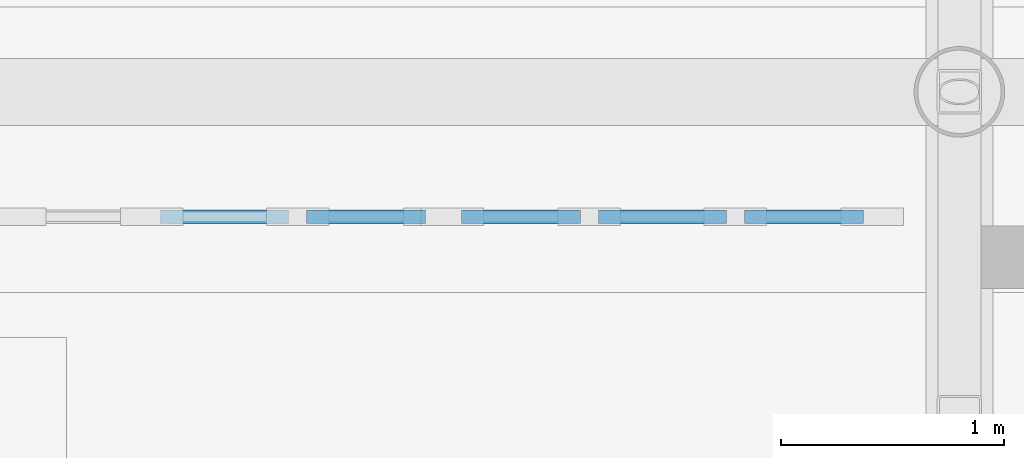
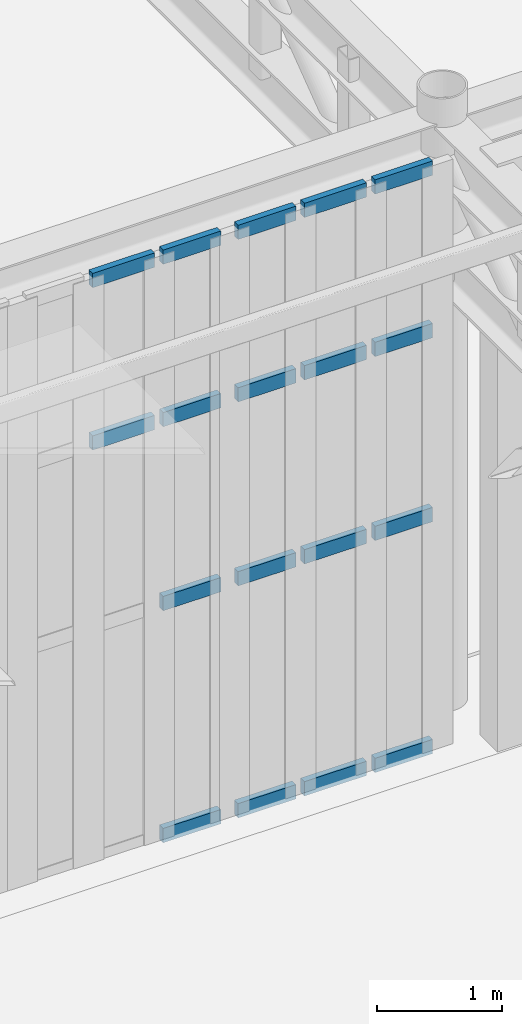
# One storey, part 55 of 118: 18 members, 2 elements without a shape of their own.
"""IFC4 building model written with IfcOpenShell, lengths in metres."""

from ifc_helpers import new_model, si_unit, direction, frame, origin, origin_2d, place, context, subcontext, project, spatial, rectangle, extrude, material, material_profile, profile_set, type_object, element, aggregate, save


model = new_model("IFC4")

# Units and contexts
model_context = context("Model", 3, precision=1e-05, world=origin(), true_north=direction((0.0, 1.0)))
body_context = subcontext(model_context, "Body", "Model", "MODEL_VIEW")
ifc_project = project(units=[si_unit("LENGTHUNIT", "METRE"), si_unit("AREAUNIT", "SQUARE_METRE"), si_unit("VOLUMEUNIT", "CUBIC_METRE"), si_unit("PLANEANGLEUNIT", "RADIAN"), si_unit("MASSUNIT", "GRAM", prefix="KILO")], contexts=[model_context])

# Site, building, storey
site_placement = place(None, origin())
site = spatial("IfcSite", under=ifc_project, at=site_placement, CompositionType="ELEMENT")
building_placement = place(site_placement, origin())
building = spatial("IfcBuilding", under=site, at=building_placement, Name="Kolvaren Corner Interchange", CompositionType="ELEMENT")
storey_placement = place(building_placement, origin())
storey = spatial("IfcBuildingStorey", under=building, at=storey_placement, Name="L01", CompositionType="ELEMENT", Elevation=0.0)

# Curtain wall, members
ifc_material_1 = material(Name="Unitised Aluminium and Solar-Control Glass Curtain Wall", Category="aluminium")
curtain_wall_type = type_object("IfcCurtainWallType", Name="CW-V1-PORTAL", PredefinedType="NOTDEFINED", material=ifc_material_1)
curtain_wall_1_placement = place(storey_placement, origin())
curtain_wall_1 = element("IfcCurtainWall", 1, at=curtain_wall_1_placement, inside=storey, type_object=curtain_wall_type, Name="South Portal Ground Curtain Wall Bay 17", PredefinedType="NOTDEFINED")
ifc_material_2 = material(Name="Anodised Aluminium Framing", Category="aluminium")
ifc_material_profile = material_profile(ifc_material_2, rectangle(XDim=0.06005859375, YDim=0.139892578125, at=origin_2d()), Name="ALU 60x140")
ifc_profile_set = profile_set([ifc_material_profile], Name="Anodised Aluminium Framing")
member_type = type_object("IfcMemberType", Name="TRN-ALU60x140", PredefinedType="USERDEFINED", material=ifc_profile_set)
member_1_placement = place(storey_placement, frame((104.42138671875, 24.340087890625, 4.10009765625), z_axis=(1.0, 0.0, 0.0), x_axis=(0.0, 1.0, 0.0)))
member_1 = element("IfcMember", 2, at=member_1_placement, type_object=member_type, Name="CW-017 transom 2.3", ObjectType="TRANSOM", PredefinedType="USERDEFINED", context=body_context, shape_type="SweptSolid", body=[
    extrude(rectangle(XDim=0.06005859375, YDim=0.139892578125, at=origin_2d()), origin(), (0.0, 0.0, 1.0), 0.57373046875),
])
member_2_placement = place(storey_placement, frame((104.42138671875, 24.340087890625, 5.68994140625), z_axis=(1.0, 0.0, 0.0), x_axis=(0.0, 1.0, 0.0)))
member_2 = element("IfcMember", 3, at=member_2_placement, type_object=member_type, Name="CW-017 transom 2.4", ObjectType="TRANSOM", PredefinedType="USERDEFINED", context=body_context, shape_type="SweptSolid", body=[
    extrude(rectangle(XDim=0.06005859375, YDim=0.139892578125, at=origin_2d()), origin(), (0.0, 0.0, 1.0), 0.57373046875),
])
member_3_placement = place(storey_placement, frame((105.0751953125, 24.340087890625, 0.030029296875), z_axis=(1.0, 0.0, 0.0), x_axis=(0.0, 1.0, 0.0)))
member_3 = element("IfcMember", 4, at=member_3_placement, type_object=member_type, Name="CW-017 transom 3.1", ObjectType="TRANSOM", PredefinedType="USERDEFINED", context=body_context, shape_type="SweptSolid", body=[
    extrude(rectangle(XDim=0.06005859375, YDim=0.139892578125, at=origin_2d()), origin(), (0.0, 0.0, 1.0), 0.53369140625),
])
member_4_placement = place(storey_placement, frame((105.0751953125, 24.340087890625, 2.300048828125), z_axis=(1.0, 0.0, 0.0), x_axis=(0.0, 1.0, 0.0)))
member_4 = element("IfcMember", 5, at=member_4_placement, type_object=member_type, Name="CW-017 transom 3.2", ObjectType="TRANSOM", PredefinedType="USERDEFINED", context=body_context, shape_type="SweptSolid", body=[
    extrude(rectangle(XDim=0.06005859375, YDim=0.139892578125, at=origin_2d()), origin(), (0.0, 0.0, 1.0), 0.53369140625),
])
member_5_placement = place(storey_placement, frame((105.0751953125, 24.340087890625, 4.10009765625), z_axis=(1.0, 0.0, 0.0), x_axis=(0.0, 1.0, 0.0)))
member_5 = element("IfcMember", 6, at=member_5_placement, type_object=member_type, Name="CW-017 transom 3.3", ObjectType="TRANSOM", PredefinedType="USERDEFINED", context=body_context, shape_type="SweptSolid", body=[
    extrude(rectangle(XDim=0.06005859375, YDim=0.139892578125, at=origin_2d()), origin(), (0.0, 0.0, 1.0), 0.53369140625),
])
member_6_placement = place(storey_placement, frame((105.0751953125, 24.340087890625, 5.68994140625), z_axis=(1.0, 0.0, 0.0), x_axis=(0.0, 1.0, 0.0)))
member_6 = element("IfcMember", 7, at=member_6_placement, type_object=member_type, Name="CW-017 transom 3.4", ObjectType="TRANSOM", PredefinedType="USERDEFINED", context=body_context, shape_type="SweptSolid", body=[
    extrude(rectangle(XDim=0.06005859375, YDim=0.139892578125, at=origin_2d()), origin(), (0.0, 0.0, 1.0), 0.53369140625),
])
aggregate(curtain_wall_1, [member_1, member_2, member_3, member_4, member_5, member_6])

curtain_wall_2_placement = place(storey_placement, origin())
curtain_wall_2 = element("IfcCurtainWall", 8, at=curtain_wall_2_placement, inside=storey, type_object=curtain_wall_type, Name="South Portal Ground Curtain Wall Bay 18", PredefinedType="NOTDEFINED")
member_7_placement = place(storey_placement, frame((105.768798828125, 24.340087890625, 0.030029296875), z_axis=(1.0, 0.0, 0.0), x_axis=(0.0, 1.0, 0.0)))
member_7 = element("IfcMember", 9, at=member_7_placement, type_object=member_type, Name="CW-018 transom 1.1", ObjectType="TRANSOM", PredefinedType="USERDEFINED", context=body_context, shape_type="SweptSolid", body=[
    extrude(rectangle(XDim=0.06005859375, YDim=0.139892578125, at=origin_2d()), origin(), (0.0, 0.0, 1.0), 0.53369140625),
])
member_8_placement = place(storey_placement, frame((105.768798828125, 24.340087890625, 2.300048828125), z_axis=(1.0, 0.0, 0.0), x_axis=(0.0, 1.0, 0.0)))
member_8 = element("IfcMember", 10, at=member_8_placement, type_object=member_type, Name="CW-018 transom 1.2", ObjectType="TRANSOM", PredefinedType="USERDEFINED", context=body_context, shape_type="SweptSolid", body=[
    extrude(rectangle(XDim=0.06005859375, YDim=0.139892578125, at=origin_2d()), origin(), (0.0, 0.0, 1.0), 0.53369140625),
])
member_9_placement = place(storey_placement, frame((105.768798828125, 24.340087890625, 4.10009765625), z_axis=(1.0, 0.0, 0.0), x_axis=(0.0, 1.0, 0.0)))
member_9 = element("IfcMember", 11, at=member_9_placement, type_object=member_type, Name="CW-018 transom 1.3", ObjectType="TRANSOM", PredefinedType="USERDEFINED", context=body_context, shape_type="SweptSolid", body=[
    extrude(rectangle(XDim=0.06005859375, YDim=0.139892578125, at=origin_2d()), origin(), (0.0, 0.0, 1.0), 0.53369140625),
])
member_10_placement = place(storey_placement, frame((105.768798828125, 24.340087890625, 5.68994140625), z_axis=(1.0, 0.0, 0.0), x_axis=(0.0, 1.0, 0.0)))
member_10 = element("IfcMember", 12, at=member_10_placement, type_object=member_type, Name="CW-018 transom 1.4", ObjectType="TRANSOM", PredefinedType="USERDEFINED", context=body_context, shape_type="SweptSolid", body=[
    extrude(rectangle(XDim=0.06005859375, YDim=0.139892578125, at=origin_2d()), origin(), (0.0, 0.0, 1.0), 0.53369140625),
])
member_11_placement = place(storey_placement, frame((106.382568359375, 24.340087890625, 0.030029296875), z_axis=(1.0, 0.0, 0.0), x_axis=(0.0, 1.0, 0.0)))
member_11 = element("IfcMember", 13, at=member_11_placement, type_object=member_type, Name="CW-018 transom 2.1", ObjectType="TRANSOM", PredefinedType="USERDEFINED", context=body_context, shape_type="SweptSolid", body=[
    extrude(rectangle(XDim=0.06005859375, YDim=0.139892578125, at=origin_2d()), origin(), (0.0, 0.0, 1.0), 0.57373046875),
])
member_12_placement = place(storey_placement, frame((106.382568359375, 24.340087890625, 2.300048828125), z_axis=(1.0, 0.0, 0.0), x_axis=(0.0, 1.0, 0.0)))
member_12 = element("IfcMember", 14, at=member_12_placement, type_object=member_type, Name="CW-018 transom 2.2", ObjectType="TRANSOM", PredefinedType="USERDEFINED", context=body_context, shape_type="SweptSolid", body=[
    extrude(rectangle(XDim=0.06005859375, YDim=0.139892578125, at=origin_2d()), origin(), (0.0, 0.0, 1.0), 0.57373046875),
])
member_13_placement = place(storey_placement, frame((106.382568359375, 24.340087890625, 4.10009765625), z_axis=(1.0, 0.0, 0.0), x_axis=(0.0, 1.0, 0.0)))
member_13 = element("IfcMember", 15, at=member_13_placement, type_object=member_type, Name="CW-018 transom 2.3", ObjectType="TRANSOM", PredefinedType="USERDEFINED", context=body_context, shape_type="SweptSolid", body=[
    extrude(rectangle(XDim=0.06005859375, YDim=0.139892578125, at=origin_2d()), origin(), (0.0, 0.0, 1.0), 0.57373046875),
])
member_14_placement = place(storey_placement, frame((106.382568359375, 24.340087890625, 5.68994140625), z_axis=(1.0, 0.0, 0.0), x_axis=(0.0, 1.0, 0.0)))
member_14 = element("IfcMember", 16, at=member_14_placement, type_object=member_type, Name="CW-018 transom 2.4", ObjectType="TRANSOM", PredefinedType="USERDEFINED", context=body_context, shape_type="SweptSolid", body=[
    extrude(rectangle(XDim=0.06005859375, YDim=0.139892578125, at=origin_2d()), origin(), (0.0, 0.0, 1.0), 0.57373046875),
])
member_15_placement = place(storey_placement, frame((107.036376953125, 24.340087890625, 0.030029296875), z_axis=(1.0, 0.0, 0.0), x_axis=(0.0, 1.0, 0.0)))
member_15 = element("IfcMember", 17, at=member_15_placement, type_object=member_type, Name="CW-018 transom 3.1", ObjectType="TRANSOM", PredefinedType="USERDEFINED", context=body_context, shape_type="SweptSolid", body=[
    extrude(rectangle(XDim=0.06005859375, YDim=0.139892578125, at=origin_2d()), origin(), (0.0, 0.0, 1.0), 0.53369140625),
])
member_16_placement = place(storey_placement, frame((107.036376953125, 24.340087890625, 2.300048828125), z_axis=(1.0, 0.0, 0.0), x_axis=(0.0, 1.0, 0.0)))
member_16 = element("IfcMember", 18, at=member_16_placement, type_object=member_type, Name="CW-018 transom 3.2", ObjectType="TRANSOM", PredefinedType="USERDEFINED", context=body_context, shape_type="SweptSolid", body=[
    extrude(rectangle(XDim=0.06005859375, YDim=0.139892578125, at=origin_2d()), origin(), (0.0, 0.0, 1.0), 0.53369140625),
])
member_17_placement = place(storey_placement, frame((107.036376953125, 24.340087890625, 4.10009765625), z_axis=(1.0, 0.0, 0.0), x_axis=(0.0, 1.0, 0.0)))
member_17 = element("IfcMember", 19, at=member_17_placement, type_object=member_type, Name="CW-018 transom 3.3", ObjectType="TRANSOM", PredefinedType="USERDEFINED", context=body_context, shape_type="SweptSolid", body=[
    extrude(rectangle(XDim=0.06005859375, YDim=0.139892578125, at=origin_2d()), origin(), (0.0, 0.0, 1.0), 0.53369140625),
])
member_18_placement = place(storey_placement, frame((107.036376953125, 24.340087890625, 5.68994140625), z_axis=(1.0, 0.0, 0.0), x_axis=(0.0, 1.0, 0.0)))
member_18 = element("IfcMember", 20, at=member_18_placement, type_object=member_type, Name="CW-018 transom 3.4", ObjectType="TRANSOM", PredefinedType="USERDEFINED", context=body_context, shape_type="SweptSolid", body=[
    extrude(rectangle(XDim=0.06005859375, YDim=0.139892578125, at=origin_2d()), origin(), (0.0, 0.0, 1.0), 0.53369140625),
])
aggregate(curtain_wall_2, [member_7, member_8, member_9, member_10, member_11, member_12, member_13, member_14, member_15, member_16, member_17, member_18])

save(model, "model.ifc")
